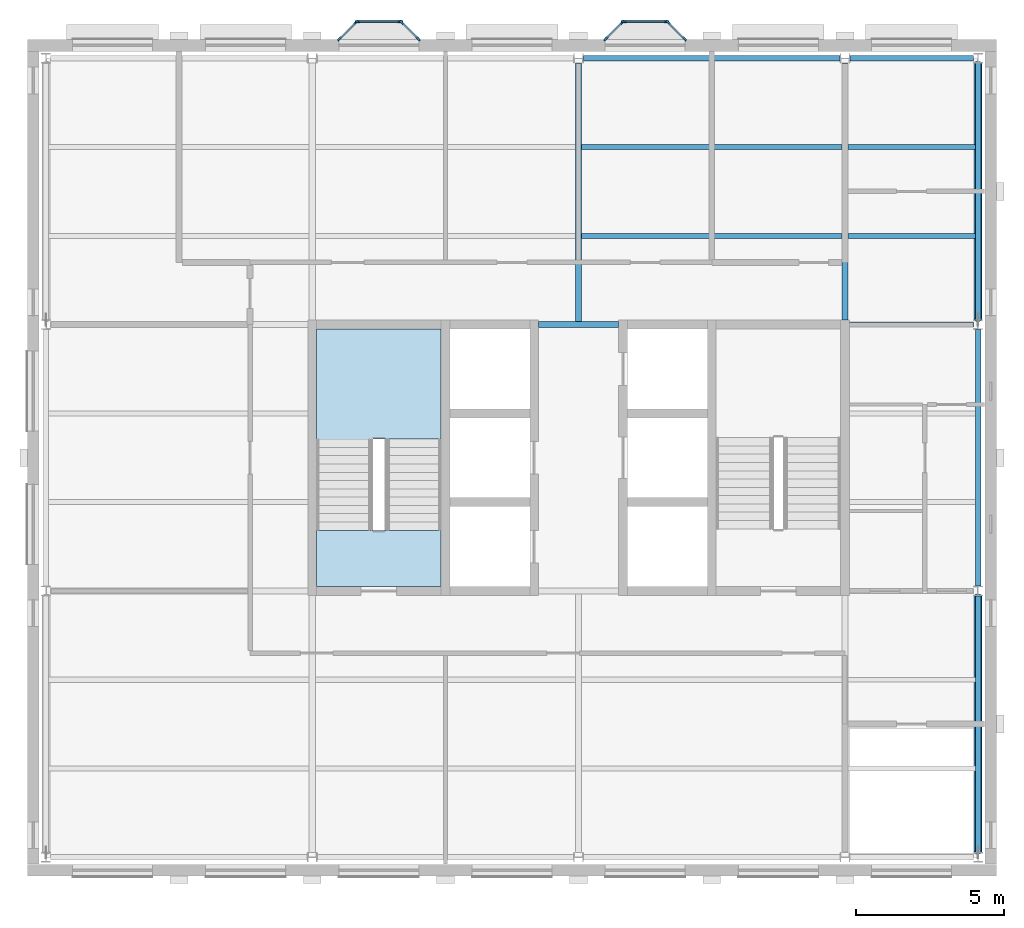
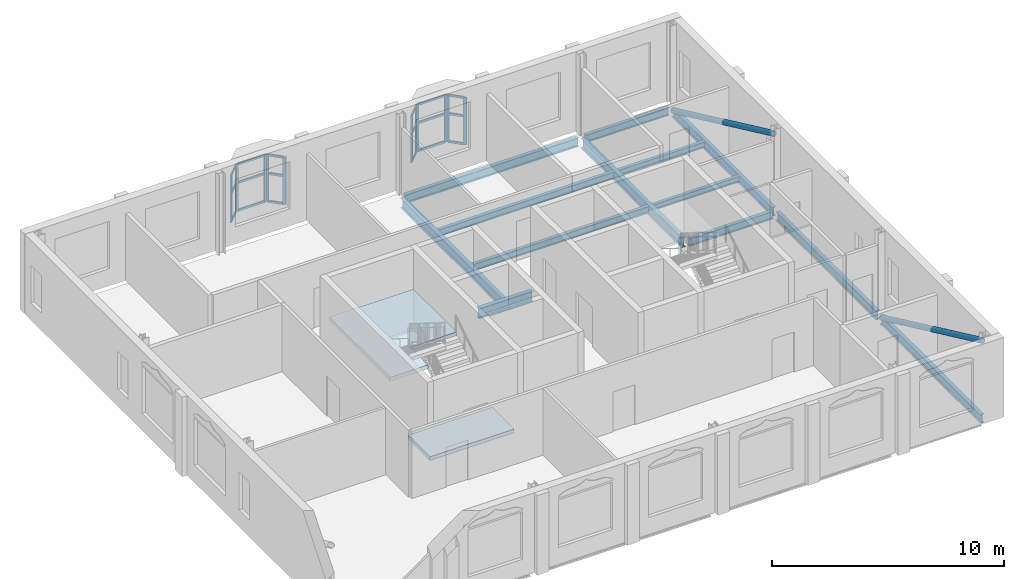
# One storey, part 2 of 9: 32 members, 13 beams, 2 slabs, 7 elements without a shape of their own.
"""IFC4 building model written with IfcOpenShell, lengths in metres."""

from ifc_helpers import new_model, si_unit, direction, frame, origin, origin_2d, place, context, subcontext, project, spatial, polyline, rectangle, hollow_circle, i_section, outline, extrude, material, layer, layer_set, material_profile, profile_set, type_object, element, aggregate, save


model = new_model("IFC4")

# Units and contexts
model_context = context("Model", 3, precision=1e-05, world=origin(), true_north=direction((0.0, 1.0)))
body_context = subcontext(model_context, "Body", "Model", "MODEL_VIEW")
ifc_project = project(units=[si_unit("LENGTHUNIT", "METRE"), si_unit("AREAUNIT", "SQUARE_METRE"), si_unit("VOLUMEUNIT", "CUBIC_METRE"), si_unit("PLANEANGLEUNIT", "RADIAN"), si_unit("MASSUNIT", "GRAM", prefix="KILO")], contexts=[model_context])

# Site, building, storey
site_placement = place(None, origin())
site = spatial("IfcSite", under=ifc_project, at=site_placement, CompositionType="ELEMENT")
building_placement = place(site_placement, origin())
building = spatial("IfcBuilding", under=site, at=building_placement, Name="Hortulan Conservatory and Botanical Research Centre", CompositionType="ELEMENT")
storey_placement = place(building_placement, frame((0.0, 0.0, 36.0)))
storey = spatial("IfcBuildingStorey", under=building, at=storey_placement, Name="L08", CompositionType="ELEMENT", Elevation=36.0)

# Members
ifc_material_1 = material(Name="Steel Grade C350L0 (350 MPa, AS/NZS 1163)", Category="steel")
ifc_material_profile_1 = material_profile(ifc_material_1, hollow_circle(Radius=0.136474609375, WallThickness=0.00927734375, at=origin_2d()), Name="273.1x9.3CHS")
ifc_profile_set_1 = profile_set([ifc_material_profile_1], Name="Steel Grade C350L0 (350 MPa, AS/NZS 1163)")
member_type_1 = type_object("IfcMemberType", Name="Brace 273.1x9.3CHS", PredefinedType="BRACE", material=ifc_profile_set_1)
for number, where, z_axis, x_axis, name in (
    (1, (31.5, 8.83642578125, -0.28369140625), (0.0, -0.906181836611, 0.422888258286), (1.0, 0.0, 0.0), "273.1x9.3CHS brace"),
    (2, (31.5, 26.83642578125, -0.28369140625), (0.0, -0.906181836611, 0.422888258286), (1.0, 0.0, 0.0), "273.1x9.3CHS brace"),
):
    element("IfcMember", number, at=place(storey_placement, frame(where, z_axis=z_axis, x_axis=x_axis)), inside=storey, type_object=member_type_1, Name=name, PredefinedType="BRACE", context=body_context, shape_type="SweptSolid", body=[
        extrude(hollow_circle(Radius=0.136474609375, WallThickness=0.00927734375, at=origin_2d()), origin(), (0.0, 0.0, 1.0), 9.57080078125),
    ])

# Curtain wall, members
ifc_material_2 = material(Name="Bronze-finished aluminium", Category="aluminium")
ifc_layer_1 = layer(ifc_material_2, 0.10009765625)
ifc_layer_set_1 = layer_set([ifc_layer_1], Name="Oriel Curtain Wall 1350 module")
curtain_wall_type = type_object("IfcCurtainWallType", Name="Oriel Curtain Wall 1350 module", PredefinedType="NOTDEFINED", material=ifc_layer_set_1)
curtain_wall_1_placement = place(storey_placement, origin())
curtain_wall_1 = element("IfcCurtainWall", 3, at=curtain_wall_1_placement, inside=storey, type_object=curtain_wall_type, Name="Oriel glazing", PredefinedType="NOTDEFINED")
ifc_material_profile_2 = material_profile(ifc_material_2, rectangle(XDim=0.06005859375, YDim=0.159912109375, at=origin_2d()), Name="Bronze Mullion 60x160")
ifc_profile_set_2 = profile_set([ifc_material_profile_2], Name="Bronze-finished aluminium")
member_type_2 = type_object("IfcMemberType", Name="Bronze Mullion 60x160", PredefinedType="MULLION", material=ifc_profile_set_2)
member_1_placement = place(storey_placement, frame((9.921142578125, 27.6572265625, 0.89990234375), z_axis=(0.0, 0.0, 1.0), x_axis=(-0.707106781187, 0.707106781187, 0.0)))
member_1 = element("IfcMember", 4, at=member_1_placement, type_object=member_type_2, Name="CW2 mullion 1", PredefinedType="MULLION", context=body_context, shape_type="SweptSolid", body=[
    extrude(rectangle(XDim=0.06005859375, YDim=0.159912109375, at=origin_2d()), origin(), (0.0, 0.0, 1.0), 2.5),
])
member_2_placement = place(storey_placement, frame((10.478759765625, 28.21484375, 0.89990234375), z_axis=(0.0, 0.0, 1.0), x_axis=(-0.707106781187, 0.707106781187, 0.0)))
member_2 = element("IfcMember", 5, at=member_2_placement, type_object=member_type_2, Name="CW2 mullion 2", PredefinedType="MULLION", context=body_context, shape_type="SweptSolid", body=[
    extrude(rectangle(XDim=0.06005859375, YDim=0.159912109375, at=origin_2d()), origin(), (0.0, 0.0, 1.0), 2.5),
])

curtain_wall_2_placement = place(storey_placement, origin())
curtain_wall_2 = element("IfcCurtainWall", 6, at=curtain_wall_2_placement, inside=storey, type_object=curtain_wall_type, Name="Oriel glazing", PredefinedType="NOTDEFINED")
member_3_placement = place(storey_placement, frame((10.530029296875, 28.236083984375, 0.89990234375), z_axis=(0.0, 0.0, 1.0), x_axis=(0.0, 1.0, 0.0)))
member_3 = element("IfcMember", 7, at=member_3_placement, type_object=member_type_2, Name="CW2 mullion 1", PredefinedType="MULLION", context=body_context, shape_type="SweptSolid", body=[
    extrude(rectangle(XDim=0.06005859375, YDim=0.159912109375, at=origin_2d()), origin(), (0.0, 0.0, 1.0), 2.5),
])
member_4_placement = place(storey_placement, frame((11.969970703125, 28.236083984375, 0.89990234375), z_axis=(0.0, 0.0, 1.0), x_axis=(0.0, 1.0, 0.0)))
member_4 = element("IfcMember", 8, at=member_4_placement, type_object=member_type_2, Name="CW2 mullion 2", PredefinedType="MULLION", context=body_context, shape_type="SweptSolid", body=[
    extrude(rectangle(XDim=0.06005859375, YDim=0.159912109375, at=origin_2d()), origin(), (0.0, 0.0, 1.0), 2.5),
])

curtain_wall_3_placement = place(storey_placement, origin())
curtain_wall_3 = element("IfcCurtainWall", 9, at=curtain_wall_3_placement, inside=storey, type_object=curtain_wall_type, Name="Oriel glazing", PredefinedType="NOTDEFINED")
member_5_placement = place(storey_placement, frame((12.021240234375, 28.21484375, 0.89990234375), z_axis=(0.0, 0.0, 1.0), x_axis=(0.707106781187, 0.707106781187, 0.0)))
member_5 = element("IfcMember", 10, at=member_5_placement, type_object=member_type_2, Name="CW2 mullion 1", PredefinedType="MULLION", context=body_context, shape_type="SweptSolid", body=[
    extrude(rectangle(XDim=0.06005859375, YDim=0.159912109375, at=origin_2d()), origin(), (0.0, 0.0, 1.0), 2.5),
])
member_6_placement = place(storey_placement, frame((12.578857421875, 27.6572265625, 0.89990234375), z_axis=(0.0, 0.0, 1.0), x_axis=(0.707106781187, 0.707106781187, 0.0)))
member_6 = element("IfcMember", 11, at=member_6_placement, type_object=member_type_2, Name="CW2 mullion 2", PredefinedType="MULLION", context=body_context, shape_type="SweptSolid", body=[
    extrude(rectangle(XDim=0.06005859375, YDim=0.159912109375, at=origin_2d()), origin(), (0.0, 0.0, 1.0), 2.5),
])

curtain_wall_4_placement = place(storey_placement, origin())
curtain_wall_4 = element("IfcCurtainWall", 12, at=curtain_wall_4_placement, inside=storey, type_object=curtain_wall_type, Name="Oriel glazing", PredefinedType="NOTDEFINED")
member_7_placement = place(storey_placement, frame((18.921142578125, 27.6572265625, 0.89990234375), z_axis=(0.0, 0.0, 1.0), x_axis=(-0.707106781187, 0.707106781187, 0.0)))
member_7 = element("IfcMember", 13, at=member_7_placement, type_object=member_type_2, Name="CW2 mullion 1", PredefinedType="MULLION", context=body_context, shape_type="SweptSolid", body=[
    extrude(rectangle(XDim=0.06005859375, YDim=0.159912109375, at=origin_2d()), origin(), (0.0, 0.0, 1.0), 2.5),
])
member_8_placement = place(storey_placement, frame((19.478759765625, 28.21484375, 0.89990234375), z_axis=(0.0, 0.0, 1.0), x_axis=(-0.707106781187, 0.707106781187, 0.0)))
member_8 = element("IfcMember", 14, at=member_8_placement, type_object=member_type_2, Name="CW2 mullion 2", PredefinedType="MULLION", context=body_context, shape_type="SweptSolid", body=[
    extrude(rectangle(XDim=0.06005859375, YDim=0.159912109375, at=origin_2d()), origin(), (0.0, 0.0, 1.0), 2.5),
])

curtain_wall_5_placement = place(storey_placement, origin())
curtain_wall_5 = element("IfcCurtainWall", 15, at=curtain_wall_5_placement, inside=storey, type_object=curtain_wall_type, Name="Oriel glazing", PredefinedType="NOTDEFINED")
member_9_placement = place(storey_placement, frame((19.530029296875, 28.236083984375, 0.89990234375), z_axis=(0.0, 0.0, 1.0), x_axis=(0.0, 1.0, 0.0)))
member_9 = element("IfcMember", 16, at=member_9_placement, type_object=member_type_2, Name="CW2 mullion 1", PredefinedType="MULLION", context=body_context, shape_type="SweptSolid", body=[
    extrude(rectangle(XDim=0.06005859375, YDim=0.159912109375, at=origin_2d()), origin(), (0.0, 0.0, 1.0), 2.5),
])
member_10_placement = place(storey_placement, frame((20.969970703125, 28.236083984375, 0.89990234375), z_axis=(0.0, 0.0, 1.0), x_axis=(0.0, 1.0, 0.0)))
member_10 = element("IfcMember", 17, at=member_10_placement, type_object=member_type_2, Name="CW2 mullion 2", PredefinedType="MULLION", context=body_context, shape_type="SweptSolid", body=[
    extrude(rectangle(XDim=0.06005859375, YDim=0.159912109375, at=origin_2d()), origin(), (0.0, 0.0, 1.0), 2.5),
])

curtain_wall_6_placement = place(storey_placement, origin())
curtain_wall_6 = element("IfcCurtainWall", 18, at=curtain_wall_6_placement, inside=storey, type_object=curtain_wall_type, Name="Oriel glazing", PredefinedType="NOTDEFINED")
member_11_placement = place(storey_placement, frame((21.021240234375, 28.21484375, 0.89990234375), z_axis=(0.0, 0.0, 1.0), x_axis=(0.707106781187, 0.707106781187, 0.0)))
member_11 = element("IfcMember", 19, at=member_11_placement, type_object=member_type_2, Name="CW2 mullion 1", PredefinedType="MULLION", context=body_context, shape_type="SweptSolid", body=[
    extrude(rectangle(XDim=0.06005859375, YDim=0.159912109375, at=origin_2d()), origin(), (0.0, 0.0, 1.0), 2.5),
])
member_12_placement = place(storey_placement, frame((21.578857421875, 27.6572265625, 0.89990234375), z_axis=(0.0, 0.0, 1.0), x_axis=(0.707106781187, 0.707106781187, 0.0)))
member_12 = element("IfcMember", 20, at=member_12_placement, type_object=member_type_2, Name="CW2 mullion 2", PredefinedType="MULLION", context=body_context, shape_type="SweptSolid", body=[
    extrude(rectangle(XDim=0.06005859375, YDim=0.159912109375, at=origin_2d()), origin(), (0.0, 0.0, 1.0), 2.5),
])

# Member
ifc_material_profile_3 = material_profile(ifc_material_2, rectangle(XDim=0.06005859375, YDim=0.1201171875, at=origin_2d()), Name="Bronze Transom 60x120")
ifc_profile_set_3 = profile_set([ifc_material_profile_3], Name="Bronze-finished aluminium")
member_type_3 = type_object("IfcMemberType", Name="Bronze Transom 60x120", PredefinedType="USERDEFINED", material=ifc_profile_set_3)
member_13_placement = place(storey_placement, frame((9.9423828125, 27.678466796875, 0.929931640625), z_axis=(0.707106781187, 0.707106781187, 0.0), x_axis=(-0.707106781187, 0.707106781187, 0.0)))
member_13 = element("IfcMember", 21, at=member_13_placement, type_object=member_type_3, Name="CW2 transom 1.1", ObjectType="TRANSOM", PredefinedType="USERDEFINED", context=body_context, shape_type="SweptSolid", body=[
    extrude(rectangle(XDim=0.06005859375, YDim=0.1201171875, at=origin_2d()), origin(), (0.0, 0.0, 1.0), 0.728515625),
])

member_14_placement = place(storey_placement, frame((9.9423828125, 27.678466796875, 2.39990234375), z_axis=(0.707106781187, 0.707106781187, 0.0), x_axis=(-0.707106781187, 0.707106781187, 0.0)))
member_14 = element("IfcMember", 22, at=member_14_placement, type_object=member_type_3, Name="CW2 transom 1.2", ObjectType="TRANSOM", PredefinedType="USERDEFINED", context=body_context, shape_type="SweptSolid", body=[
    extrude(rectangle(XDim=0.06005859375, YDim=0.1201171875, at=origin_2d()), origin(), (0.0, 0.0, 1.0), 0.728515625),
])

member_15_placement = place(storey_placement, frame((9.9423828125, 27.678466796875, 3.3701171875), z_axis=(0.707106781187, 0.707106781187, 0.0), x_axis=(-0.707106781187, 0.707106781187, 0.0)))
member_15 = element("IfcMember", 23, at=member_15_placement, type_object=member_type_3, Name="CW2 transom 1.3", ObjectType="TRANSOM", PredefinedType="USERDEFINED", context=body_context, shape_type="SweptSolid", body=[
    extrude(rectangle(XDim=0.06005859375, YDim=0.1201171875, at=origin_2d()), origin(), (0.0, 0.0, 1.0), 0.728515625),
])

aggregate(curtain_wall_1, [member_1, member_2, member_13, member_14, member_15])

member_16_placement = place(storey_placement, frame((10.56005859375, 28.236083984375, 0.929931640625), z_axis=(1.0, 0.0, 0.0), x_axis=(0.0, 1.0, 0.0)))
member_16 = element("IfcMember", 24, at=member_16_placement, type_object=member_type_3, Name="CW2 transom 1.1", ObjectType="TRANSOM", PredefinedType="USERDEFINED", context=body_context, shape_type="SweptSolid", body=[
    extrude(rectangle(XDim=0.06005859375, YDim=0.1201171875, at=origin_2d()), origin(), (0.0, 0.0, 1.0), 1.3798828125),
])

member_17_placement = place(storey_placement, frame((10.56005859375, 28.236083984375, 2.39990234375), z_axis=(1.0, 0.0, 0.0), x_axis=(0.0, 1.0, 0.0)))
member_17 = element("IfcMember", 25, at=member_17_placement, type_object=member_type_3, Name="CW2 transom 1.2", ObjectType="TRANSOM", PredefinedType="USERDEFINED", context=body_context, shape_type="SweptSolid", body=[
    extrude(rectangle(XDim=0.06005859375, YDim=0.1201171875, at=origin_2d()), origin(), (0.0, 0.0, 1.0), 1.3798828125),
])

member_18_placement = place(storey_placement, frame((10.56005859375, 28.236083984375, 3.3701171875), z_axis=(1.0, 0.0, 0.0), x_axis=(0.0, 1.0, 0.0)))
member_18 = element("IfcMember", 26, at=member_18_placement, type_object=member_type_3, Name="CW2 transom 1.3", ObjectType="TRANSOM", PredefinedType="USERDEFINED", context=body_context, shape_type="SweptSolid", body=[
    extrude(rectangle(XDim=0.06005859375, YDim=0.1201171875, at=origin_2d()), origin(), (0.0, 0.0, 1.0), 1.3798828125),
])

aggregate(curtain_wall_2, [member_3, member_4, member_16, member_17, member_18])

member_19_placement = place(storey_placement, frame((12.04248046875, 28.193603515625, 0.929931640625), z_axis=(0.707106781187, -0.707106781187, 0.0), x_axis=(0.707106781187, 0.707106781187, 0.0)))
member_19 = element("IfcMember", 27, at=member_19_placement, type_object=member_type_3, Name="CW2 transom 1.1", ObjectType="TRANSOM", PredefinedType="USERDEFINED", context=body_context, shape_type="SweptSolid", body=[
    extrude(rectangle(XDim=0.06005859375, YDim=0.1201171875, at=origin_2d()), origin(), (0.0, 0.0, 1.0), 0.728515625),
])

member_20_placement = place(storey_placement, frame((12.04248046875, 28.193603515625, 2.39990234375), z_axis=(0.707106781187, -0.707106781187, 0.0), x_axis=(0.707106781187, 0.707106781187, 0.0)))
member_20 = element("IfcMember", 28, at=member_20_placement, type_object=member_type_3, Name="CW2 transom 1.2", ObjectType="TRANSOM", PredefinedType="USERDEFINED", context=body_context, shape_type="SweptSolid", body=[
    extrude(rectangle(XDim=0.06005859375, YDim=0.1201171875, at=origin_2d()), origin(), (0.0, 0.0, 1.0), 0.728515625),
])

member_21_placement = place(storey_placement, frame((12.04248046875, 28.193603515625, 3.3701171875), z_axis=(0.707106781187, -0.707106781187, 0.0), x_axis=(0.707106781187, 0.707106781187, 0.0)))
member_21 = element("IfcMember", 29, at=member_21_placement, type_object=member_type_3, Name="CW2 transom 1.3", ObjectType="TRANSOM", PredefinedType="USERDEFINED", context=body_context, shape_type="SweptSolid", body=[
    extrude(rectangle(XDim=0.06005859375, YDim=0.1201171875, at=origin_2d()), origin(), (0.0, 0.0, 1.0), 0.728515625),
])

aggregate(curtain_wall_3, [member_5, member_6, member_19, member_20, member_21])

member_22_placement = place(storey_placement, frame((18.9423828125, 27.678466796875, 0.929931640625), z_axis=(0.707106781187, 0.707106781187, 0.0), x_axis=(-0.707106781187, 0.707106781187, 0.0)))
member_22 = element("IfcMember", 30, at=member_22_placement, type_object=member_type_3, Name="CW2 transom 1.1", ObjectType="TRANSOM", PredefinedType="USERDEFINED", context=body_context, shape_type="SweptSolid", body=[
    extrude(rectangle(XDim=0.06005859375, YDim=0.1201171875, at=origin_2d()), origin(), (0.0, 0.0, 1.0), 0.728515625),
])

member_23_placement = place(storey_placement, frame((18.9423828125, 27.678466796875, 2.39990234375), z_axis=(0.707106781187, 0.707106781187, 0.0), x_axis=(-0.707106781187, 0.707106781187, 0.0)))
member_23 = element("IfcMember", 31, at=member_23_placement, type_object=member_type_3, Name="CW2 transom 1.2", ObjectType="TRANSOM", PredefinedType="USERDEFINED", context=body_context, shape_type="SweptSolid", body=[
    extrude(rectangle(XDim=0.06005859375, YDim=0.1201171875, at=origin_2d()), origin(), (0.0, 0.0, 1.0), 0.728515625),
])

member_24_placement = place(storey_placement, frame((18.9423828125, 27.678466796875, 3.3701171875), z_axis=(0.707106781187, 0.707106781187, 0.0), x_axis=(-0.707106781187, 0.707106781187, 0.0)))
member_24 = element("IfcMember", 32, at=member_24_placement, type_object=member_type_3, Name="CW2 transom 1.3", ObjectType="TRANSOM", PredefinedType="USERDEFINED", context=body_context, shape_type="SweptSolid", body=[
    extrude(rectangle(XDim=0.06005859375, YDim=0.1201171875, at=origin_2d()), origin(), (0.0, 0.0, 1.0), 0.728515625),
])

aggregate(curtain_wall_4, [member_7, member_8, member_22, member_23, member_24])

member_25_placement = place(storey_placement, frame((19.56005859375, 28.236083984375, 0.929931640625), z_axis=(1.0, 0.0, 0.0), x_axis=(0.0, 1.0, 0.0)))
member_25 = element("IfcMember", 33, at=member_25_placement, type_object=member_type_3, Name="CW2 transom 1.1", ObjectType="TRANSOM", PredefinedType="USERDEFINED", context=body_context, shape_type="SweptSolid", body=[
    extrude(rectangle(XDim=0.06005859375, YDim=0.1201171875, at=origin_2d()), origin(), (0.0, 0.0, 1.0), 1.3798828125),
])

member_26_placement = place(storey_placement, frame((19.56005859375, 28.236083984375, 2.39990234375), z_axis=(1.0, 0.0, 0.0), x_axis=(0.0, 1.0, 0.0)))
member_26 = element("IfcMember", 34, at=member_26_placement, type_object=member_type_3, Name="CW2 transom 1.2", ObjectType="TRANSOM", PredefinedType="USERDEFINED", context=body_context, shape_type="SweptSolid", body=[
    extrude(rectangle(XDim=0.06005859375, YDim=0.1201171875, at=origin_2d()), origin(), (0.0, 0.0, 1.0), 1.3798828125),
])

member_27_placement = place(storey_placement, frame((19.56005859375, 28.236083984375, 3.3701171875), z_axis=(1.0, 0.0, 0.0), x_axis=(0.0, 1.0, 0.0)))
member_27 = element("IfcMember", 35, at=member_27_placement, type_object=member_type_3, Name="CW2 transom 1.3", ObjectType="TRANSOM", PredefinedType="USERDEFINED", context=body_context, shape_type="SweptSolid", body=[
    extrude(rectangle(XDim=0.06005859375, YDim=0.1201171875, at=origin_2d()), origin(), (0.0, 0.0, 1.0), 1.3798828125),
])

aggregate(curtain_wall_5, [member_9, member_10, member_25, member_26, member_27])

member_28_placement = place(storey_placement, frame((21.04248046875, 28.193603515625, 0.929931640625), z_axis=(0.707106781187, -0.707106781187, 0.0), x_axis=(0.707106781187, 0.707106781187, 0.0)))
member_28 = element("IfcMember", 36, at=member_28_placement, type_object=member_type_3, Name="CW2 transom 1.1", ObjectType="TRANSOM", PredefinedType="USERDEFINED", context=body_context, shape_type="SweptSolid", body=[
    extrude(rectangle(XDim=0.06005859375, YDim=0.1201171875, at=origin_2d()), origin(), (0.0, 0.0, 1.0), 0.728515625),
])

member_29_placement = place(storey_placement, frame((21.04248046875, 28.193603515625, 2.39990234375), z_axis=(0.707106781187, -0.707106781187, 0.0), x_axis=(0.707106781187, 0.707106781187, 0.0)))
member_29 = element("IfcMember", 37, at=member_29_placement, type_object=member_type_3, Name="CW2 transom 1.2", ObjectType="TRANSOM", PredefinedType="USERDEFINED", context=body_context, shape_type="SweptSolid", body=[
    extrude(rectangle(XDim=0.06005859375, YDim=0.1201171875, at=origin_2d()), origin(), (0.0, 0.0, 1.0), 0.728515625),
])

member_30_placement = place(storey_placement, frame((21.04248046875, 28.193603515625, 3.3701171875), z_axis=(0.707106781187, -0.707106781187, 0.0), x_axis=(0.707106781187, 0.707106781187, 0.0)))
member_30 = element("IfcMember", 38, at=member_30_placement, type_object=member_type_3, Name="CW2 transom 1.3", ObjectType="TRANSOM", PredefinedType="USERDEFINED", context=body_context, shape_type="SweptSolid", body=[
    extrude(rectangle(XDim=0.06005859375, YDim=0.1201171875, at=origin_2d()), origin(), (0.0, 0.0, 1.0), 0.728515625),
])

aggregate(curtain_wall_6, [member_11, member_12, member_28, member_29, member_30])

# Beams
ifc_material_3 = material(Name="Steel Grade 300PLUS (AS/NZS 3679.1, 280 MPa minimum yield)", Category="steel")
ifc_material_profile_4 = material_profile(ifc_material_3, i_section(OverallWidth=0.177978515625, OverallDepth=0.403076171875, WebThickness=0.007568359375, FlangeThickness=0.010986328125, FilletRadius=0.011474609375, at=origin_2d()), Name="410UB53.7")
ifc_profile_set_4 = profile_set([ifc_material_profile_4], Name="Steel Grade 300PLUS (AS/NZS 3679.1, 280 MPa minimum yield)")
beam_type_1 = type_object("IfcBeamType", Name="Primary Beam 410UB53.7", PredefinedType="BEAM", material=ifc_profile_set_4)
beam_1_placement = place(storey_placement, frame((27.16357421875, 27.0, -0.33154296875), z_axis=(1.0, 0.0, 0.0), x_axis=(0.0, 1.0, 0.0)))
element("IfcBeam", 39, at=beam_1_placement, inside=storey, type_object=beam_type_1, Name="410UB53.7 girder", PredefinedType="BEAM", context=body_context, shape_type="SweptSolid", body=[
    extrude(i_section(OverallWidth=0.177978515625, OverallDepth=0.403076171875, WebThickness=0.007568359375, FlangeThickness=0.010986328125, FilletRadius=0.011474609375, at=origin_2d()), origin(), (0.0, 0.0, 1.0), 4.180908203125),
])
beam_2_placement = place(storey_placement, frame((27.14990234375, 18.0, -0.33154296875), z_axis=(1.0, 0.0, 0.0), x_axis=(0.0, 1.0, 0.0)))
element("IfcBeam", 40, at=beam_2_placement, inside=storey, type_object=beam_type_1, Name="410UB53.7 girder", PredefinedType="BEAM", context=body_context, shape_type="SweptSolid", body=[
    extrude(i_section(OverallWidth=0.177978515625, OverallDepth=0.403076171875, WebThickness=0.007568359375, FlangeThickness=0.010986328125, FilletRadius=0.011474609375, at=origin_2d()), origin(), (0.0, 0.0, 1.0), 4.194580078125),
])
ifc_material_profile_5 = material_profile(ifc_material_3, i_section(OverallWidth=0.19091796875, OverallDepth=0.4599609375, WebThickness=0.010009765625, FlangeThickness=0.01611328125, FilletRadius=0.011474609375, at=origin_2d()), Name="460UB82.1")
ifc_profile_set_5 = profile_set([ifc_material_profile_5], Name="Steel Grade 300PLUS (AS/NZS 3679.1, 280 MPa minimum yield)")
beam_type_2 = type_object("IfcBeamType", Name="Primary Beam 460UB82.1", PredefinedType="BEAM", material=ifc_profile_set_5)
for number, where, z_axis, x_axis, name in (
    (41, (18.16357421875, 27.0, -0.360107421875), (1.0, 0.0, 0.0), (0.0, 1.0, 0.0), "460UB82.1 girder"),
    (42, (31.5, 0.16357421875, -0.360107421875), (0.0, 1.0, 0.0), (-1.0, 0.0, 0.0), "460UB82.1 girder"),
    (43, (31.5, 9.16357421875, -0.360107421875), (0.0, 1.0, 0.0), (-1.0, 0.0, 0.0), "460UB82.1 girder"),
    (44, (31.5, 18.16357421875, -0.360107421875), (0.0, 1.0, 0.0), (-1.0, 0.0, 0.0), "460UB82.1 girder"),
):
    element("IfcBeam", number, at=place(storey_placement, frame(where, z_axis=z_axis, x_axis=x_axis)), inside=storey, type_object=beam_type_2, Name=name, PredefinedType="BEAM", context=body_context, shape_type="SweptSolid", body=[
        extrude(i_section(OverallWidth=0.19091796875, OverallDepth=0.4599609375, WebThickness=0.010009765625, FlangeThickness=0.01611328125, FilletRadius=0.011474609375, at=origin_2d()), origin(), (0.0, 0.0, 1.0), 8.6728515625),
    ])
ifc_material_profile_6 = material_profile(ifc_material_3, i_section(OverallWidth=0.208984375, OverallDepth=0.532958984375, WebThickness=0.01025390625, FlangeThickness=0.015625, FilletRadius=0.013916015625, at=origin_2d()), Name="530UB92.4")
ifc_profile_set_6 = profile_set([ifc_material_profile_6], Name="Steel Grade 300PLUS (AS/NZS 3679.1, 280 MPa minimum yield)")
beam_type_3 = type_object("IfcBeamType", Name="Primary Beam 530UB92.4", PredefinedType="BEAM", material=ifc_profile_set_6)
beam_3_placement = place(storey_placement, frame((16.64990234375, 18.0, -0.396484375), z_axis=(1.0, 0.0, 0.0), x_axis=(0.0, 1.0, 0.0)))
element("IfcBeam", 45, at=beam_3_placement, inside=storey, type_object=beam_type_3, Name="530UB92.4 girder", PredefinedType="BEAM", context=body_context, shape_type="SweptSolid", body=[
    extrude(i_section(OverallWidth=0.208984375, OverallDepth=0.532958984375, WebThickness=0.01025390625, FlangeThickness=0.015625, FilletRadius=0.013916015625, at=origin_2d()), origin(), (0.0, 0.0, 1.0), 2.7001953125),
])
beam_4_placement = place(storey_placement, frame((18.0, 18.0, -0.396484375), z_axis=(0.0, 1.0, 0.0), x_axis=(-1.0, 0.0, 0.0)))
element("IfcBeam", 46, at=beam_4_placement, inside=storey, type_object=beam_type_3, Name="530UB92.4 girder", PredefinedType="BEAM", context=body_context, shape_type="SweptSolid", body=[
    extrude(i_section(OverallWidth=0.208984375, OverallDepth=0.532958984375, WebThickness=0.01025390625, FlangeThickness=0.015625, FilletRadius=0.013916015625, at=origin_2d()), origin(), (0.0, 0.0, 1.0), 8.844482421875),
])
beam_5_placement = place(storey_placement, frame((27.0, 18.14990234375, -0.396484375), z_axis=(0.0, 1.0, 0.0), x_axis=(-1.0, 0.0, 0.0)))
element("IfcBeam", 47, at=beam_5_placement, inside=storey, type_object=beam_type_3, Name="530UB92.4 girder", PredefinedType="BEAM", context=body_context, shape_type="SweptSolid", body=[
    extrude(i_section(OverallWidth=0.208984375, OverallDepth=0.532958984375, WebThickness=0.01025390625, FlangeThickness=0.015625, FilletRadius=0.013916015625, at=origin_2d()), origin(), (0.0, 0.0, 1.0), 8.694580078125),
])
ifc_material_profile_7 = material_profile(ifc_material_3, i_section(OverallWidth=0.1650390625, OverallDepth=0.303955078125, WebThickness=0.006103515625, FlangeThickness=0.01025390625, FilletRadius=0.011474609375, at=origin_2d()), Name="310UB40.4")
ifc_profile_set_7 = profile_set([ifc_material_profile_7], Name="Steel Grade 300PLUS (AS/NZS 3679.1, 280 MPa minimum yield)")
beam_type_4 = type_object("IfcBeamType", Name="Secondary Beam 310UB40.4", PredefinedType="JOIST", material=ifc_profile_set_7)
for number, where, z_axis, x_axis, name in (
    (48, (27.1044921875, 21.0, -0.281982421875), (1.0, 0.0, 0.0), (0.0, 1.0, 0.0), "310UB40.4 secondary beam"),
    (49, (27.1044921875, 24.0, -0.281982421875), (1.0, 0.0, 0.0), (0.0, 1.0, 0.0), "310UB40.4 secondary beam"),
):
    element("IfcBeam", number, at=place(storey_placement, frame(where, z_axis=z_axis, x_axis=x_axis)), inside=storey, type_object=beam_type_4, Name=name, PredefinedType="JOIST", context=body_context, shape_type="SweptSolid", body=[
        extrude(i_section(OverallWidth=0.1650390625, OverallDepth=0.303955078125, WebThickness=0.006103515625, FlangeThickness=0.01025390625, FilletRadius=0.011474609375, at=origin_2d()), origin(), (0.0, 0.0, 1.0), 4.300048828125),
    ])
ifc_material_profile_8 = material_profile(ifc_material_3, i_section(OverallWidth=0.172119140625, OverallDepth=0.35888671875, WebThickness=0.008056640625, FlangeThickness=0.012939453125, FilletRadius=0.011474609375, at=origin_2d()), Name="360UB56.7")
ifc_profile_set_8 = profile_set([ifc_material_profile_8], Name="Steel Grade 300PLUS (AS/NZS 3679.1, 280 MPa minimum yield)")
beam_type_5 = type_object("IfcBeamType", Name="Secondary Beam 360UB56.7", PredefinedType="JOIST", material=ifc_profile_set_8)
for number, where, z_axis, x_axis, name in (
    (50, (18.1044921875, 21.0, -0.3095703125), (1.0, 0.0, 0.0), (0.0, 1.0, 0.0), "360UB56.7 secondary beam"),
    (51, (18.1044921875, 24.0, -0.3095703125), (1.0, 0.0, 0.0), (0.0, 1.0, 0.0), "360UB56.7 secondary beam"),
):
    element("IfcBeam", number, at=place(storey_placement, frame(where, z_axis=z_axis, x_axis=x_axis)), inside=storey, type_object=beam_type_5, Name=name, PredefinedType="JOIST", context=body_context, shape_type="SweptSolid", body=[
        extrude(i_section(OverallWidth=0.172119140625, OverallDepth=0.35888671875, WebThickness=0.008056640625, FlangeThickness=0.012939453125, FilletRadius=0.011474609375, at=origin_2d()), origin(), (0.0, 0.0, 1.0), 8.791015625),
    ])

# Stair, slab
ifc_material_4 = material(Name="Concrete N40 (40 MPa, AS 3600)", Category="concrete")
stair_type = type_object("IfcStairType", Name="Concrete Escape Stair 1900", PredefinedType="HALF_TURN_STAIR", material=ifc_material_4)
stair_placement = place(storey_placement, origin())
stair = element("IfcStair", 52, at=stair_placement, inside=storey, type_object=stair_type, Name="Stair T1 L08", PredefinedType="HALF_TURN_STAIR")
ifc_layer_2 = layer(ifc_material_4, 0.199951171875)
ifc_layer_set_2 = layer_set([ifc_layer_2], Name="Stair Landing 200")
slab_type = type_object("IfcSlabType", Name="Stair Landing 200", PredefinedType="LANDING", material=ifc_layer_set_2)
slab_1_placement = place(storey_placement, frame((0.0, 0.0, 1.89990234375)))
slab_1 = element("IfcSlab", 53, at=slab_1_placement, type_object=slab_type, Name="Stair T1 L08 half landing 1", PredefinedType="LANDING", context=body_context, shape_type="SweptSolid", body=[
    extrude(outline(polyline([(13.35009765625, 14.12939453125), (11.050048828125, 14.12939453125), (11.050048828125, 12.590087890625), (9.14990234375, 12.590087890625), (9.14990234375, 14.12939453125), (9.14990234375, 14.1298828125), (9.14990234375, 14.139892578125), (9.14990234375, 17.85009765625), (13.35009765625, 17.85009765625), (13.35009765625, 14.139892578125), (13.35009765625, 14.1298828125), (13.35009765625, 14.12939453125)])), origin(), (0.0, 0.0, 1.0), 0.2001953125),
])
aggregate(stair, [slab_1])

# Slab
slab_2_placement = place(storey_placement, frame((0.0, 0.0, -0.199951171875)))
element("IfcSlab", 54, at=slab_2_placement, inside=storey, type_object=slab_type, Name="Stair T1 floor landing L08", PredefinedType="LANDING", context=body_context, shape_type="SweptSolid", body=[
    extrude(outline(polyline([(13.35009765625, 9.14990234375), (9.14990234375, 9.14990234375), (9.14990234375, 11.050048828125), (13.35009765625, 11.050048828125), (13.35009765625, 9.14990234375)])), origin(), (0.0, 0.0, 1.0), 0.199951171875),
])

save(model, "model.ifc")
